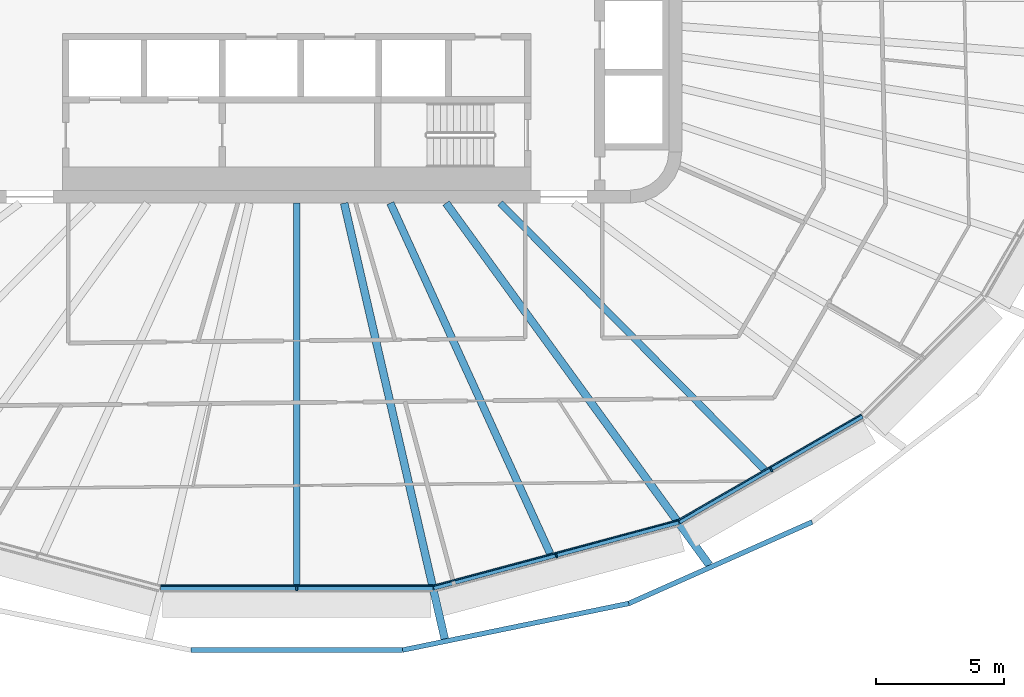
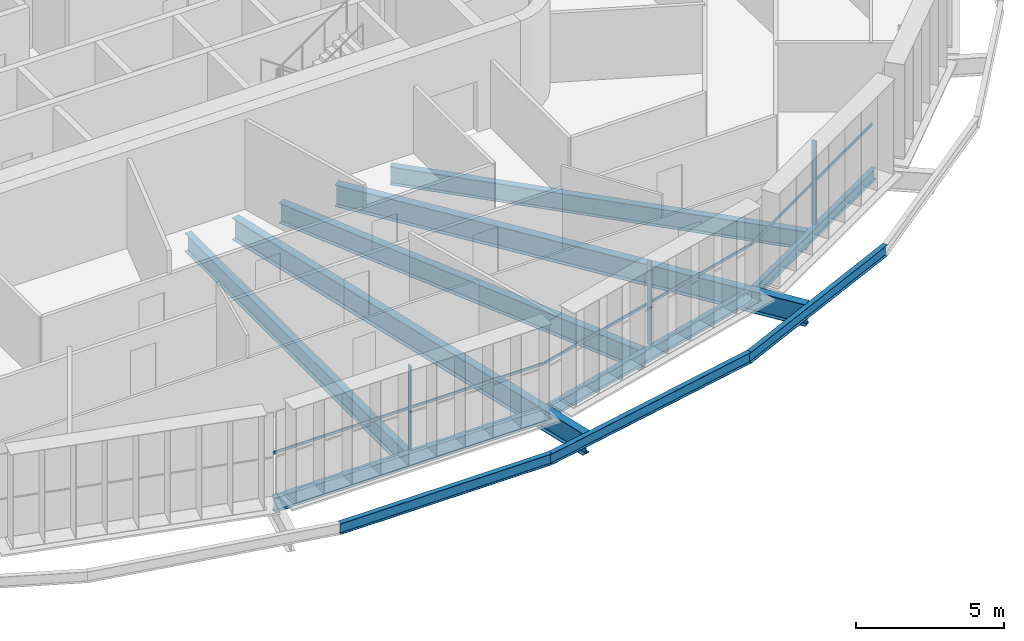
# One storey, part 3 of 22: 11 beams, 6 members, 3 elements without a shape of their own.
"""IFC4 building model written with IfcOpenShell, lengths in metres."""

from ifc_helpers import new_model, si_unit, direction, frame, origin, origin_2d, place, context, subcontext, project, spatial, rectangle, i_section, extrude, material, layer, layer_set, material_profile, profile_set, type_object, element, aggregate, save


model = new_model("IFC4")

# Units and contexts
model_context = context("Model", 3, precision=1e-05, world=origin(), true_north=direction((0.0, 1.0)))
body_context = subcontext(model_context, "Body", "Model", "MODEL_VIEW")
ifc_project = project(units=[si_unit("LENGTHUNIT", "METRE"), si_unit("AREAUNIT", "SQUARE_METRE"), si_unit("VOLUMEUNIT", "CUBIC_METRE"), si_unit("PLANEANGLEUNIT", "RADIAN"), si_unit("MASSUNIT", "GRAM", prefix="KILO")], contexts=[model_context])

# Site, building, storey
site_placement = place(None, origin())
site = spatial("IfcSite", under=ifc_project, at=site_placement, CompositionType="ELEMENT")
building_placement = place(site_placement, origin())
building = spatial("IfcBuilding", under=site, at=building_placement, Name="Sahrelin Media Tower", CompositionType="ELEMENT")
storey_placement = place(building_placement, frame((0.0, 0.0, 189.60009765625)))
storey = spatial("IfcBuildingStorey", under=building, at=storey_placement, Name="L40", CompositionType="ELEMENT", Elevation=189.60009765625)

# Beams
ifc_material_1 = material(Name="Steel S355", Category="steel")
ifc_material_profile_1 = material_profile(ifc_material_1, i_section(OverallWidth=0.1904296875, OverallDepth=0.45703125, WebThickness=0.009033203125, FlangeThickness=0.014404296875, FilletRadius=0.01025390625, at=origin_2d()), Name="UB 457x191x74")
ifc_profile_set_1 = profile_set([ifc_material_profile_1], Name="Steel S355")
beam_type_1 = type_object("IfcBeamType", Name="Edge beam EB5", PredefinedType="BEAM", material=ifc_profile_set_1)
beam_1_placement = place(storey_placement, frame((22.029296875, -16.292236328125, -0.378662109375), z_axis=(-0.8660092336, -0.500028006535, 0.0), x_axis=(0.500028006535, -0.8660092336, 0.0)))
element("IfcBeam", 1, at=beam_1_placement, inside=storey, type_object=beam_type_1, Name="Edge beam L40-05", PredefinedType="BEAM", context=body_context, shape_type="SweptSolid", body=[
    extrude(i_section(OverallWidth=0.1904296875, OverallDepth=0.45703125, WebThickness=0.009033203125, FlangeThickness=0.014404296875, FilletRadius=0.01025390625, at=origin_2d()), origin(), (0.0, 0.0, 1.0), 8.23046875),
])
ifc_material_profile_2 = material_profile(ifc_material_1, i_section(OverallWidth=0.208740234375, OverallDepth=0.5283203125, WebThickness=0.009521484375, FlangeThickness=0.01318359375, FilletRadius=0.0126953125, at=origin_2d()), Name="UB 533x210x82")
ifc_profile_set_2 = profile_set([ifc_material_profile_2], Name="Steel S355")
beam_type_2 = type_object("IfcBeamType", Name="Edge beam EB6", PredefinedType="BEAM", material=ifc_profile_set_2)
beam_2_placement = place(storey_placement, frame((14.875, -20.418701171875, -0.414306640625), z_axis=(-0.965928634298, -0.258808565244, 0.0), x_axis=(0.258808565244, -0.965928634298, 0.0)))
element("IfcBeam", 2, at=beam_2_placement, inside=storey, type_object=beam_type_2, Name="Edge beam L40-06", PredefinedType="BEAM", context=body_context, shape_type="SweptSolid", body=[
    extrude(i_section(OverallWidth=0.208740234375, OverallDepth=0.5283203125, WebThickness=0.009521484375, FlangeThickness=0.01318359375, FilletRadius=0.0126953125, at=origin_2d()), origin(), (0.0, 0.0, 1.0), 9.87744140625),
])
ifc_material_profile_3 = material_profile(ifc_material_1, i_section(OverallWidth=0.2275390625, OverallDepth=0.6025390625, WebThickness=0.010498046875, FlangeThickness=0.014892578125, FilletRadius=0.0126953125, at=origin_2d()), Name="UB 610x229x101")
ifc_profile_set_3 = profile_set([ifc_material_profile_3], Name="Steel S355")
beam_type_3 = type_object("IfcBeamType", Name="Edge beam EB7", PredefinedType="BEAM", material=ifc_profile_set_3)
beam_3_placement = place(storey_placement, frame((5.305419921875, -22.97900390625, -0.451416015625), z_axis=(-1.0, 0.0, 0.0), x_axis=(0.0, -1.0, 0.0)))
element("IfcBeam", 3, at=beam_3_placement, inside=storey, type_object=beam_type_3, Name="Edge beam L40-07", PredefinedType="BEAM", context=body_context, shape_type="SweptSolid", body=[
    extrude(i_section(OverallWidth=0.2275390625, OverallDepth=0.6025390625, WebThickness=0.010498046875, FlangeThickness=0.014892578125, FilletRadius=0.0126953125, at=origin_2d()), origin(), (0.0, 0.0, 1.0), 10.61083984375),
])

# Curtain wall, member
ifc_material_2 = material(Name="Champagne anodised aluminium 6063-T6", Category="aluminium")
ifc_layer = layer(ifc_material_2, 0.14990234375)
ifc_layer_set = layer_set([ifc_layer], Name="Tower ribbon curtain wall")
curtain_wall_type = type_object("IfcCurtainWallType", Name="Tower ribbon curtain wall", PredefinedType="NOTDEFINED", material=ifc_layer_set)
curtain_wall_1_placement = place(storey_placement, frame((0.0, -23.12890625, 0.0), z_axis=(0.0, 0.0, 1.0), x_axis=(1.0, 0.0, 0.0)))
curtain_wall_1 = element("IfcCurtainWall", 4, at=curtain_wall_1_placement, inside=storey, type_object=curtain_wall_type, Name="L40:CW:L40-18", PredefinedType="NOTDEFINED")
ifc_material_profile_4 = material_profile(ifc_material_2, rectangle(XDim=0.06005859375, YDim=0.175048828125, at=origin_2d()), Name="Mullion 60x175")
ifc_profile_set_4 = profile_set([ifc_material_profile_4], Name="Champagne anodised aluminium 6063-T6")
member_type_1 = type_object("IfcMemberType", Name="Mullion 60x175 CW1B", PredefinedType="MULLION", material=ifc_profile_set_4)
member_1_placement = place(storey_placement, frame((0.0, -23.021484375, 0.0), z_axis=(0.0, 0.0, 1.0), x_axis=(1.0, 0.0, 0.0)))
member_1 = element("IfcMember", 5, at=member_1_placement, type_object=member_type_1, Name="L40:CWM:L40-18", PredefinedType="MULLION", context=body_context, shape_type="SweptSolid", body=[
    extrude(rectangle(XDim=0.06005859375, YDim=0.175048828125, at=origin_2d()), origin(), (0.0, 0.0, 1.0), 3.448486328125),
])

curtain_wall_2_placement = place(storey_placement, frame((10.143310546875, -21.841796875, 0.0), z_axis=(0.0, 0.0, 1.0), x_axis=(1.0, 0.0, 0.0)))
curtain_wall_2 = element("IfcCurtainWall", 6, at=curtain_wall_2_placement, inside=storey, type_object=curtain_wall_type, Name="L40:CW:L40-19", PredefinedType="NOTDEFINED")
member_2_placement = place(storey_placement, frame((10.115478515625, -21.73779296875, 0.0), z_axis=(0.0, 0.0, 1.0), x_axis=(0.965924922834, 0.258822416818, 0.0)))
member_2 = element("IfcMember", 7, at=member_2_placement, type_object=member_type_1, Name="L40:CWM:L40-19", PredefinedType="MULLION", context=body_context, shape_type="SweptSolid", body=[
    extrude(rectangle(XDim=0.06005859375, YDim=0.175048828125, at=origin_2d()), origin(), (0.0, 0.0, 1.0), 3.448486328125),
])

curtain_wall_3_placement = place(storey_placement, frame((18.54052734375, -18.47998046875, 0.0), z_axis=(0.0, 0.0, 1.0), x_axis=(1.0, 0.0, 0.0)))
curtain_wall_3 = element("IfcCurtainWall", 8, at=curtain_wall_3_placement, inside=storey, type_object=curtain_wall_type, Name="L40:CW:L40-20", PredefinedType="NOTDEFINED")
member_3_placement = place(storey_placement, frame((18.48681640625, -18.38671875, 0.0), z_axis=(0.0, 0.0, 1.0), x_axis=(0.86602365845, 0.500003022996, 0.0)))
member_3 = element("IfcMember", 9, at=member_3_placement, type_object=member_type_1, Name="L40:CWM:L40-20", PredefinedType="MULLION", context=body_context, shape_type="SweptSolid", body=[
    extrude(rectangle(XDim=0.06005859375, YDim=0.175048828125, at=origin_2d()), origin(), (0.0, 0.0, 1.0), 3.448486328125),
])

# Beams
ifc_material_profile_5 = material_profile(ifc_material_1, i_section(OverallWidth=0.30322265625, OverallDepth=0.903076171875, WebThickness=0.01513671875, FlangeThickness=0.020263671875, FilletRadius=0.01904296875, at=origin_2d()), Name="UB 914x305x201")
ifc_profile_set_5 = profile_set([ifc_material_profile_5], Name="Steel S355")
beam_type_4 = type_object("IfcBeamType", Name="Radial primary beam PB11", PredefinedType="BEAM", material=ifc_profile_set_5)
beam_4_placement = place(storey_placement, frame((1.846923828125, -8.0, -0.6015625), z_axis=(0.224946489575, -0.974371118634, 0.0), x_axis=(0.974371118634, 0.224946489575, 0.0)))
element("IfcBeam", 10, at=beam_4_placement, inside=storey, type_object=beam_type_4, Name="Radial beam L40-19", PredefinedType="BEAM", context=body_context, shape_type="SweptSolid", body=[
    extrude(i_section(OverallWidth=0.30322265625, OverallDepth=0.903076171875, WebThickness=0.01513671875, FlangeThickness=0.020263671875, FilletRadius=0.01904296875, at=origin_2d()), origin(), (0.0, 0.0, 1.0), 17.423828125),
])
beam_5_placement = place(storey_placement, frame((5.8173828125, -8.0, -0.6015625), z_axis=(0.588130895743, -0.808765756862, 0.0), x_axis=(0.808765756862, 0.588130895743, 0.0)))
element("IfcBeam", 11, at=beam_5_placement, inside=storey, type_object=beam_type_4, Name="Radial beam L40-20", PredefinedType="BEAM", context=body_context, shape_type="SweptSolid", body=[
    extrude(i_section(OverallWidth=0.30322265625, OverallDepth=0.903076171875, WebThickness=0.01513671875, FlangeThickness=0.020263671875, FilletRadius=0.01904296875, at=origin_2d()), origin(), (0.0, 0.0, 1.0), 17.43359375),
])
ifc_material_profile_6 = material_profile(ifc_material_1, i_section(OverallWidth=0.291748046875, OverallDepth=0.8349609375, WebThickness=0.013916015625, FlangeThickness=0.018798828125, FilletRadius=0.017822265625, at=origin_2d()), Name="UB 838x292x176")
ifc_profile_set_6 = profile_set([ifc_material_profile_6], Name="Steel S355")
beam_type_5 = type_object("IfcBeamType", Name="Radial secondary beam SB10", PredefinedType="BEAM", material=ifc_profile_set_6)
beam_6_placement = place(storey_placement, frame((3.647705078125, -8.0, -0.567626953125), z_axis=(0.414888908569, -0.909872075374, 0.0), x_axis=(0.909872075374, 0.414888908569, 0.0)))
element("IfcBeam", 12, at=beam_6_placement, inside=storey, type_object=beam_type_5, Name="Secondary beam L40-19", PredefinedType="BEAM", context=body_context, shape_type="SweptSolid", body=[
    extrude(i_section(OverallWidth=0.291748046875, OverallDepth=0.8349609375, WebThickness=0.013916015625, FlangeThickness=0.018798828125, FilletRadius=0.017822265625, at=origin_2d()), origin(), (0.0, 0.0, 1.0), 15.003173828125),
])
ifc_material_profile_7 = material_profile(ifc_material_1, i_section(OverallWidth=0.26513671875, OverallDepth=0.75390625, WebThickness=0.0126953125, FlangeThickness=0.017578125, FilletRadius=0.0166015625, at=origin_2d()), Name="UB 762x267x147")
ifc_profile_set_7 = profile_set([ifc_material_profile_7], Name="Steel S355")
beam_type_6 = type_object("IfcBeamType", Name="Radial secondary beam SB9", PredefinedType="BEAM", material=ifc_profile_set_7)
beam_7_placement = place(storey_placement, frame((0.0, -8.0, -0.527099609375), z_axis=(0.0, -1.0, 0.0), x_axis=(1.0, 0.0, 0.0)))
element("IfcBeam", 13, at=beam_7_placement, inside=storey, type_object=beam_type_6, Name="Secondary beam L40-18", PredefinedType="BEAM", context=body_context, shape_type="SweptSolid", body=[
    extrude(i_section(OverallWidth=0.26513671875, OverallDepth=0.75390625, WebThickness=0.0126953125, FlangeThickness=0.017578125, FilletRadius=0.0166015625, at=origin_2d()), origin(), (0.0, 0.0, 1.0), 14.864990234375),
])
beam_8_placement = place(storey_placement, frame((7.927490234375, -8.0, -0.527099609375), z_axis=(0.70389286124, -0.710306159269, 0.0), x_axis=(0.710306159269, 0.70389286124, 0.0)))
element("IfcBeam", 14, at=beam_8_placement, inside=storey, type_object=beam_type_6, Name="Secondary beam L40-20", PredefinedType="BEAM", context=body_context, shape_type="SweptSolid", body=[
    extrude(i_section(OverallWidth=0.26513671875, OverallDepth=0.75390625, WebThickness=0.0126953125, FlangeThickness=0.017578125, FilletRadius=0.0166015625, at=origin_2d()), origin(), (0.0, 0.0, 1.0), 14.6181640625),
])
ifc_material_profile_8 = material_profile(ifc_material_1, i_section(OverallWidth=0.1904296875, OverallDepth=0.45703125, WebThickness=0.009033203125, FlangeThickness=0.014404296875, FilletRadius=0.01025390625, at=origin_2d()), Name="UB 457x191x74")
ifc_profile_set_8 = profile_set([ifc_material_profile_8], Name="Steel S355")
beam_type_7 = type_object("IfcBeamType", Name="Tie chord TC5", PredefinedType="BEAM", material=ifc_profile_set_8)
beam_9_placement = place(storey_placement, frame((-4.12109375, -25.413818359375, -0.378662109375), z_axis=(1.0, 0.0, 0.0), x_axis=(0.0, 1.0, 0.0)))
element("IfcBeam", 15, at=beam_9_placement, inside=storey, type_object=beam_type_7, Name="Tie chord L40-18", PredefinedType="BEAM", context=body_context, shape_type="SweptSolid", body=[
    extrude(i_section(OverallWidth=0.1904296875, OverallDepth=0.45703125, WebThickness=0.009033203125, FlangeThickness=0.014404296875, FilletRadius=0.01025390625, at=origin_2d()), origin(), (0.0, 0.0, 1.0), 8.2421875),
])
beam_10_placement = place(storey_placement, frame((4.12109375, -25.413818359375, -0.378662109375), z_axis=(0.979392100264, 0.201968101292, 0.0), x_axis=(-0.201968101292, 0.979392100264, 0.0)))
element("IfcBeam", 16, at=beam_10_placement, inside=storey, type_object=beam_type_7, Name="Tie chord L40-19", PredefinedType="BEAM", context=body_context, shape_type="SweptSolid", body=[
    extrude(i_section(OverallWidth=0.1904296875, OverallDepth=0.45703125, WebThickness=0.009033203125, FlangeThickness=0.014404296875, FilletRadius=0.01025390625, at=origin_2d()), origin(), (0.0, 0.0, 1.0), 9.00439453125),
])
beam_11_placement = place(storey_placement, frame((12.93994140625, -23.59521484375, -0.378662109375), z_axis=(0.913825725951, 0.40610656556, 0.0), x_axis=(-0.40610656556, 0.913825725951, 0.0)))
element("IfcBeam", 17, at=beam_11_placement, inside=storey, type_object=beam_type_7, Name="Tie chord L40-20", PredefinedType="BEAM", context=body_context, shape_type="SweptSolid", body=[
    extrude(i_section(OverallWidth=0.1904296875, OverallDepth=0.45703125, WebThickness=0.009033203125, FlangeThickness=0.014404296875, FilletRadius=0.01025390625, at=origin_2d()), origin(), (0.0, 0.0, 1.0), 7.81103515625),
])

# Member
ifc_material_profile_9 = material_profile(ifc_material_2, rectangle(XDim=0.050048828125, YDim=0.110107421875, at=origin_2d()), Name="Transom 50x110")
ifc_profile_set_9 = profile_set([ifc_material_profile_9], Name="Champagne anodised aluminium 6063-T6")
member_type_2 = type_object("IfcMemberType", Name="Transom 50x110 CW1B", PredefinedType="USERDEFINED", material=ifc_profile_set_9)
member_4_placement = place(storey_placement, frame((-5.28955078125, -22.908935546875, 1.599853515625), z_axis=(1.0, 0.0, 0.0), x_axis=(0.0, 1.0, 0.0)))
member_4 = element("IfcMember", 18, at=member_4_placement, type_object=member_type_2, Name="L40:CWT:L40-18", ObjectType="TRANSOM", PredefinedType="USERDEFINED", context=body_context, shape_type="SweptSolid", body=[
    extrude(rectangle(XDim=0.050048828125, YDim=0.110107421875, at=origin_2d()), origin(), (0.0, 0.0, 1.0), 10.5791015625),
])

aggregate(curtain_wall_1, [member_1, member_4])

member_5_placement = place(storey_placement, frame((5.3310546875, -22.903564453125, 1.599853515625), z_axis=(0.965921045244, 0.258836887547, 0.0), x_axis=(-0.258836887547, 0.965921045244, 0.0)))
member_5 = element("IfcMember", 19, at=member_5_placement, type_object=member_type_2, Name="L40:CWT:L40-19", ObjectType="TRANSOM", PredefinedType="USERDEFINED", context=body_context, shape_type="SweptSolid", body=[
    extrude(rectangle(XDim=0.050048828125, YDim=0.110107421875, at=origin_2d()), origin(), (0.0, 0.0, 1.0), 9.84619140625),
])

aggregate(curtain_wall_2, [member_2, member_5])

member_6_placement = place(storey_placement, frame((14.880126953125, -20.339111328125, 1.599853515625), z_axis=(0.866020958405, 0.500007699544, 0.0), x_axis=(-0.500007699544, 0.866020958405, 0.0)))
member_6 = element("IfcMember", 20, at=member_6_placement, type_object=member_type_2, Name="L40:CWT:L40-20", ObjectType="TRANSOM", PredefinedType="USERDEFINED", context=body_context, shape_type="SweptSolid", body=[
    extrude(rectangle(XDim=0.050048828125, YDim=0.110107421875, at=origin_2d()), origin(), (0.0, 0.0, 1.0), 8.198974609375),
])

aggregate(curtain_wall_3, [member_3, member_6])

save(model, "model.ifc")
